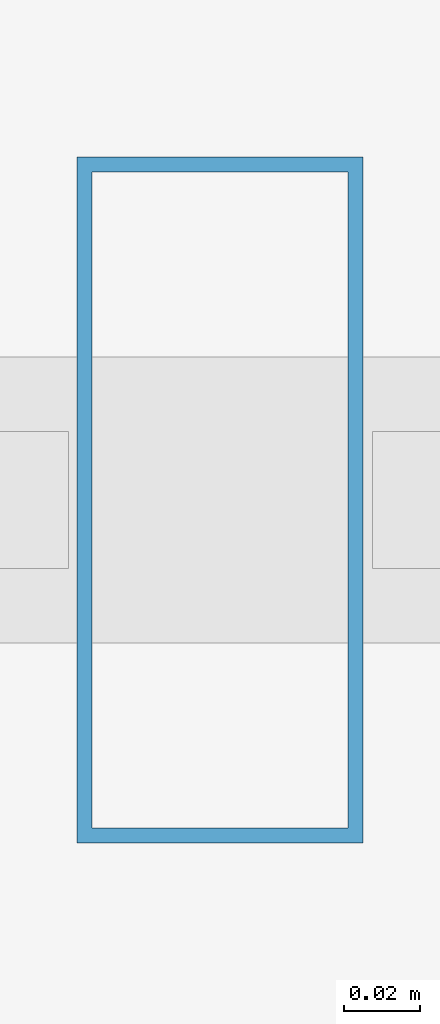
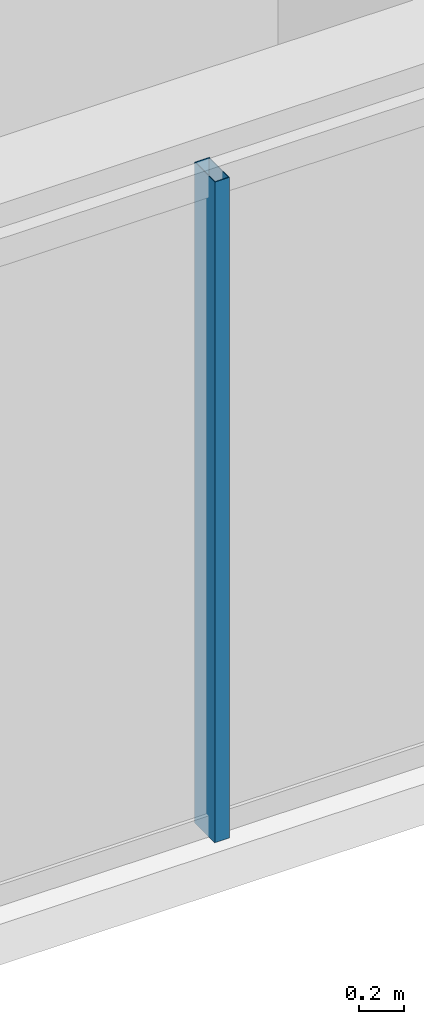
# One storey, part 4 of 32: 1 member, 1 element without a shape of its own.
"""IFC4 building model written with IfcOpenShell, lengths in metres."""

import ifcopenshell
import ifcopenshell.guid

model = None  # the IFC model being written
_history = None  # IfcOwnerHistory: only IFC2X3 demands one
_inside = {}  # id of a spatial element -> (the spatial element, [elements in it])
_under = {}  # id of a project, library or spatial element -> (it, [spatial elements below it])
_declared = {}  # id of a project -> (the project, [libraries it declares])
_typed = {}  # id of a type object -> (the type object, [elements of that type])
_made_of = {}  # id of a material, layer set ... -> (it, [elements and type objects made of it])


def new_model(schema):
    """Start an empty IFC model of exactly this schema.

    Asked for "IFC4X3", IfcOpenShell would pick the latest addendum, in which some entities
    have other attributes; the version numbers below select the first issue.
    IFC2X3 requires an IfcOwnerHistory on every rooted entity: one is made here for all.
    """
    global model, _history
    if schema == "IFC4X3":
        model = ifcopenshell.file(schema_version=(4, 3, 0, 0))
    else:
        model = ifcopenshell.file(schema=schema)
    _inside.clear()
    _under.clear()
    _declared.clear()
    _typed.clear()
    _made_of.clear()
    _history = None
    if model.schema == "IFC2X3":
        org = make("IfcOrganization", Name="unknown")
        user = make(
            "IfcPersonAndOrganization",
            ThePerson=make("IfcPerson", FamilyName="unknown"),
            TheOrganization=org,
        )
        app = make(
            "IfcApplication",
            ApplicationDeveloper=org,
            Version="unknown",
            ApplicationFullName="unknown",
            ApplicationIdentifier="unknown",
        )
        _history = make(
            "IfcOwnerHistory",
            OwningUser=user,
            OwningApplication=app,
            ChangeAction="ADDED",
            CreationDate=0,
        )
    return model


def make(cls, **values):
    """One entity of the class cls with the attributes given. An attribute that is None is left unset."""
    return model.create_entity(
        cls, **{name: value for name, value in values.items() if value is not None}
    )


def rooted(cls, **values):
    """An entity with a GlobalId (a new one), such as an element, a storey or a relation."""
    return make(cls, GlobalId=ifcopenshell.guid.new(), OwnerHistory=_history, **values)


def si_unit(unit_type, name, prefix=None):
    """IfcSIUnit, for example si_unit("LENGTHUNIT", "METRE", prefix="MILLI")."""
    return make("IfcSIUnit", UnitType=unit_type, Prefix=prefix, Name=name)


def assignment(units):
    """IfcUnitAssignment: the units of a project."""
    return None if units is None else make("IfcUnitAssignment", Units=units)


def point(xyz):
    """IfcCartesianPoint."""
    return None if xyz is None else make("IfcCartesianPoint", Coordinates=xyz)


def direction(xyz):
    """IfcDirection."""
    return None if xyz is None else make("IfcDirection", DirectionRatios=xyz)


def frame(location, z_axis=None, x_axis=None):
    """IfcAxis2Placement3D, a coordinate frame: its origin and axes. An axis left out is left unset."""
    return make(
        "IfcAxis2Placement3D",
        Location=point(location),
        Axis=direction(z_axis),
        RefDirection=direction(x_axis),
    )


def frame_2d(location, x_axis=None):
    """IfcAxis2Placement2D, a coordinate frame in the plane: its origin and x axis."""
    return make(
        "IfcAxis2Placement2D", Location=point(location), RefDirection=direction(x_axis)
    )


def origin():
    """The frame at (0, 0, 0) with its axes left unset."""
    return frame((0.0, 0.0, 0.0))


def origin_2d():
    """The frame at (0, 0) in the plane with its x axis left unset."""
    return frame_2d((0.0, 0.0))


def place(relative_to, where):
    """IfcLocalPlacement: puts the frame where relative to a parent placement (None: the world)."""
    return make(
        "IfcLocalPlacement", PlacementRelTo=relative_to, RelativePlacement=where
    )


def context(
    kind, dimensions, precision=None, world=None, true_north=None, identifier=None
):
    """IfcGeometricRepresentationContext, for example the 3D "Model" context."""
    return make(
        "IfcGeometricRepresentationContext",
        ContextIdentifier=identifier,
        ContextType=kind,
        CoordinateSpaceDimension=dimensions,
        Precision=precision,
        WorldCoordinateSystem=world,
        TrueNorth=true_north,
    )


def subcontext(parent, identifier, kind, view, scale=None):
    """IfcGeometricRepresentationSubContext, for example "Body" below "Model"."""
    return make(
        "IfcGeometricRepresentationSubContext",
        ContextIdentifier=identifier,
        ContextType=kind,
        ParentContext=parent,
        TargetScale=scale,
        TargetView=view,
    )


def project(units=None, contexts=None):
    """IfcProject with its units and contexts."""
    return rooted(
        "IfcProject",
        Name="project",
        RepresentationContexts=contexts,
        UnitsInContext=assignment(units),
    )


def spatial(cls, under=None, at=None, **own):
    """A site, building, storey or space (cls), placed at a placement, below another one or the project."""
    s = rooted(cls, ObjectPlacement=at, **own)
    if under is not None:
        _under.setdefault(under.id(), (under, []))[1].append(s)
    return s


def profile(cls, at=None, kind="AREA", **sizes):
    """A parametric profile (cls). Its sizes go by their IFC names, for example OverallWidth=200.0."""
    return make(cls, ProfileType=kind, Position=at, **sizes)


def hollow_rectangle(**sizes):
    """IfcRectangleHollowProfileDef."""
    return profile("IfcRectangleHollowProfileDef", **sizes)


def extrude(swept, where, along, depth):
    """IfcExtrudedAreaSolid: the profile swept, set in the frame where, extruded along a direction by depth."""
    return make(
        "IfcExtrudedAreaSolid",
        SweptArea=swept,
        Position=where,
        ExtrudedDirection=direction(along),
        Depth=depth,
    )


def shape(context_of_items, identifier, shape_type, items):
    """IfcShapeRepresentation: the items that make up one representation, for example the "Body"."""
    return make(
        "IfcShapeRepresentation",
        ContextOfItems=context_of_items,
        RepresentationIdentifier=identifier,
        RepresentationType=shape_type,
        Items=items,
    )


def material(Name=None, Category=None):
    """IfcMaterial."""
    return make("IfcMaterial", Name=Name, Category=Category)


def layer(
    of_material, thickness, ventilated=None, Name=None, Category=None, Priority=None
):
    """IfcMaterialLayer: one layer of a wall or slab, of a material (None: an air gap)."""
    return make(
        "IfcMaterialLayer",
        Material=of_material,
        LayerThickness=thickness,
        IsVentilated=ventilated,
        Name=Name,
        Category=Category,
        Priority=Priority,
    )


def layer_set(layers, Name=None):
    """IfcMaterialLayerSet."""
    return make("IfcMaterialLayerSet", MaterialLayers=layers, LayerSetName=Name)


def material_profile(
    of_material, cross_section, Name=None, Category=None, Priority=None
):
    """IfcMaterialProfile: a cross section and its material."""
    return make(
        "IfcMaterialProfile",
        Name=Name,
        Material=of_material,
        Profile=cross_section,
        Priority=Priority,
        Category=Category,
    )


def profile_set(profiles, Name=None, composite=None):
    """IfcMaterialProfileSet."""
    return make(
        "IfcMaterialProfileSet",
        Name=Name,
        MaterialProfiles=profiles,
        CompositeProfile=composite,
    )


def made_of(thing, what):
    """Note that an element or type object is made of a material, layer set ...; save() writes the relation."""
    if what is not None:
        _made_of.setdefault(what.id(), (what, []))[1].append(thing)
    return thing


def type_object(cls, material=None, **own):
    """A type object (cls), such as IfcWallType, which elements share."""
    return made_of(rooted(cls, **own), material)


def element(
    cls,
    number,
    at=None,
    inside=None,
    cuts=None,
    type_object=None,
    material=None,
    context=None,
    identifier="Body",
    shape_type=None,
    held_by="IfcProductDefinitionShape",
    body=None,
    shapes=None,
    **own,
):
    """One element of the class cls, such as IfcWall. Its Tag is "e" and its number.

    at: its placement. inside: the storey or other place that contains it. cuts: it is an
    opening in that element (IfcRelVoidsElement). A single representation is given by context,
    identifier, shape_type and body (its items); several are given by shapes. held_by: the class
    of the entity that holds the representations. save() writes the other relations.
    """
    e = rooted(cls, Tag="e%d" % number, ObjectPlacement=at, **own)
    if body is not None:
        shapes = [shape(context, identifier, shape_type, body)]
    if shapes is not None:
        e.Representation = make(held_by, Representations=shapes)
    if inside is not None:
        _inside.setdefault(inside.id(), (inside, []))[1].append(e)
    if cuts is not None:
        rooted(
            "IfcRelVoidsElement", RelatingBuildingElement=cuts, RelatedOpeningElement=e
        )
    if type_object is not None:
        _typed.setdefault(type_object.id(), (type_object, []))[1].append(e)
    return made_of(e, material)


def aggregate(whole, parts):
    """IfcRelAggregates: a whole, such as a stair, and the parts it consists of."""
    return rooted("IfcRelAggregates", RelatingObject=whole, RelatedObjects=parts)


def save(model, path):
    """Write the relations noted so far, then the file.

    IfcRelAggregates (storeys below a building ...), IfcRelContainedInSpatialStructure (elements
    in a storey), IfcRelDefinesByType, IfcRelAssociatesMaterial and IfcRelDeclares: one each for
    every whole, place, type object, material and project.
    """
    for whole, parts in _under.values():
        aggregate(whole, parts)
    for where, things in _inside.values():
        rooted(
            "IfcRelContainedInSpatialStructure",
            RelatedElements=things,
            RelatingStructure=where,
        )
    for kind, things in _typed.values():
        rooted("IfcRelDefinesByType", RelatedObjects=things, RelatingType=kind)
    for what, things in _made_of.values():
        rooted("IfcRelAssociatesMaterial", RelatedObjects=things, RelatingMaterial=what)
    for by, libraries in _declared.values():
        rooted("IfcRelDeclares", RelatingContext=by, RelatedDefinitions=libraries)
    model.write(path)


model = new_model("IFC4")

# Units and contexts
model_context = context("Model", 3, precision=1e-05, world=origin(), true_north=direction((0.0, 1.0)))
body_context = subcontext(model_context, "Body", "Model", "MODEL_VIEW")
ifc_project = project(units=[si_unit("LENGTHUNIT", "METRE"), si_unit("AREAUNIT", "SQUARE_METRE"), si_unit("VOLUMEUNIT", "CUBIC_METRE"), si_unit("PLANEANGLEUNIT", "RADIAN"), si_unit("MASSUNIT", "GRAM", prefix="KILO")], contexts=[model_context])

# Site, building, storey
site_placement = place(None, origin())
site = spatial("IfcSite", under=ifc_project, at=site_placement, CompositionType="ELEMENT")
building_placement = place(site_placement, origin())
building = spatial("IfcBuilding", under=site, at=building_placement, Name="Ndaravel Arena Tower", CompositionType="ELEMENT")
storey_placement = place(building_placement, frame((0.0, 0.0, 134.60009765625)))
storey = spatial("IfcBuildingStorey", under=building, at=storey_placement, Name="L31", CompositionType="ELEMENT", Elevation=134.60009765625)

# Curtain wall, member
ifc_material_1 = material(Name="Aluminium", Category="aluminium")
ifc_layer = layer(ifc_material_1, 0.179931640625)
ifc_layer_set = layer_set([ifc_layer], Name="Aluminium")
curtain_wall_type = type_object("IfcCurtainWallType", Name="CW-SYS-03", PredefinedType="NOTDEFINED", material=ifc_layer_set)
curtain_wall_placement = place(storey_placement, origin())
curtain_wall = element("IfcCurtainWall", 1, at=curtain_wall_placement, inside=storey, type_object=curtain_wall_type, Name="L31 Faceted Crystal Curtain Wall CW-L31-E01", PredefinedType="NOTDEFINED")
ifc_material_2 = material(Name="Aluminium", Category="aluminium")
ifc_material_profile = material_profile(ifc_material_2, hollow_rectangle(XDim=0.074951171875, YDim=0.179931640625, WallThickness=0.00390625, at=origin_2d()), Name="CW MULLION 75x180x4")
ifc_profile_set = profile_set([ifc_material_profile], Name="Aluminium")
member_type = type_object("IfcMemberType", Name="MEM-CW-MUL180", PredefinedType="MULLION", material=ifc_profile_set)
member_placement = place(storey_placement, frame((33.277587890625, 5.159912109375, 0.0), z_axis=(0.0, 0.0, 1.0), x_axis=(1.0, 0.0, 0.0)))
member = element("IfcMember", 2, at=member_placement, type_object=member_type, Name="CW-L31-E01 Mullion 02", PredefinedType="MULLION", context=body_context, shape_type="SweptSolid", body=[
    extrude(hollow_rectangle(XDim=0.074951171875, YDim=0.179931640625, WallThickness=0.00390625, at=origin_2d()), origin(), (0.0, 0.0, 1.0), 3.579833984375),
])
aggregate(curtain_wall, [member])

save(model, "model.ifc")
